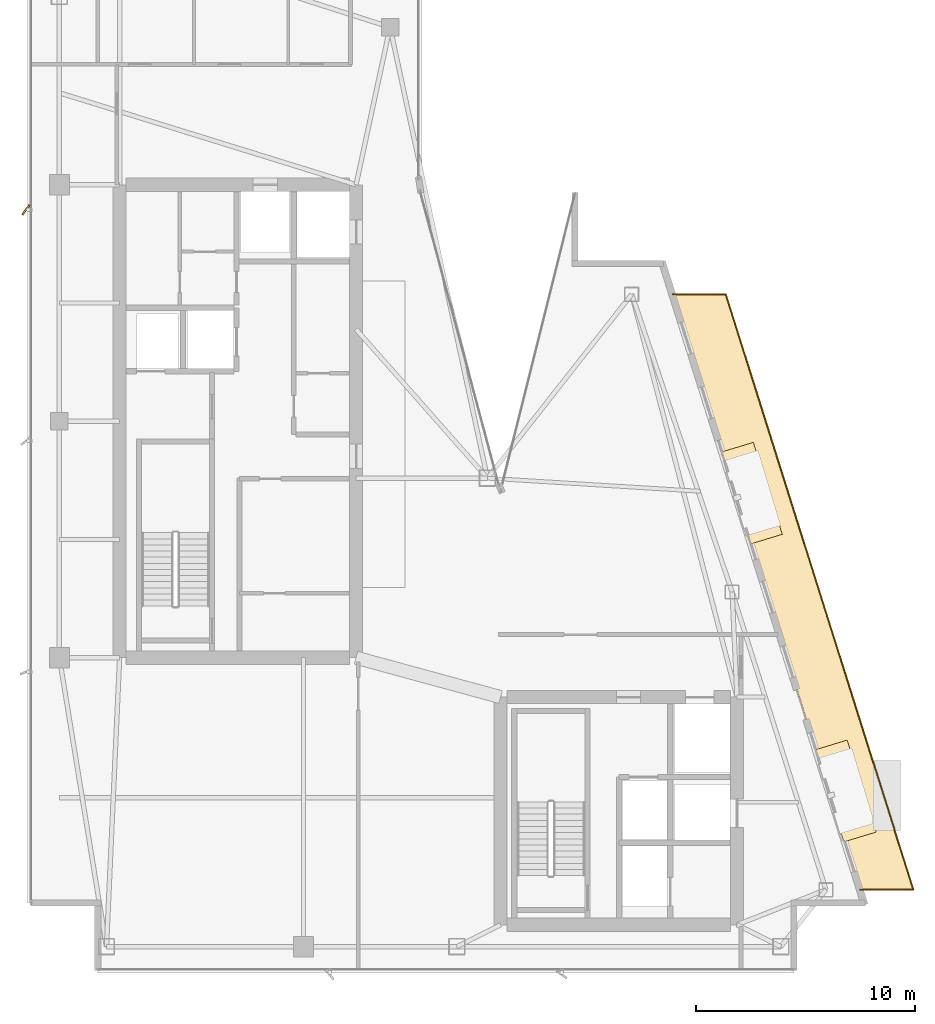
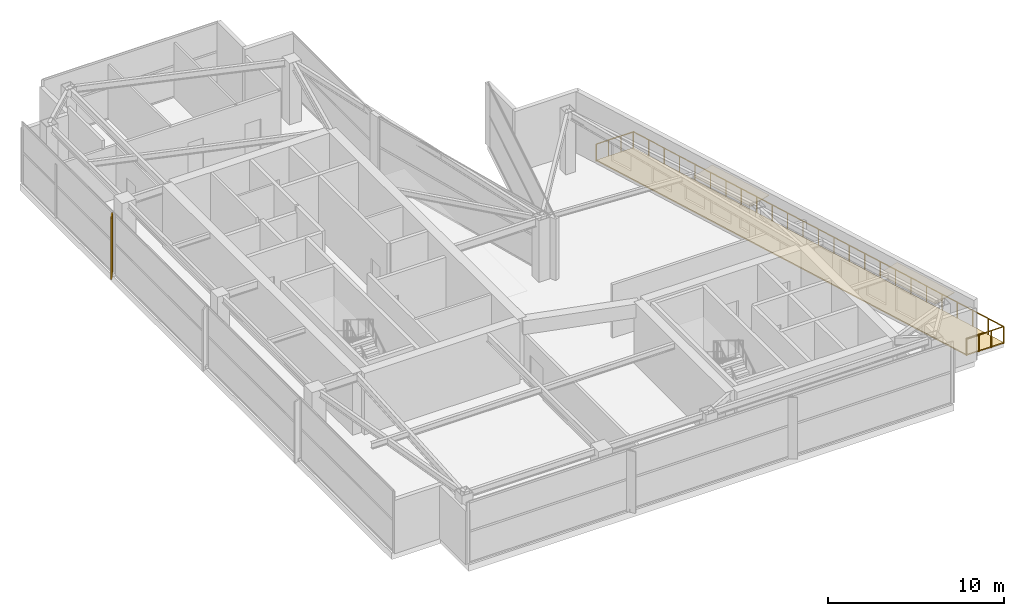
# One storey, part 25 of 25: 3 coverings, 1 railing, 1 shading device.
"""IFC4 building model written with IfcOpenShell, lengths in metres."""

from ifc_helpers import new_model, si_unit, direction, frame, origin, origin_2d, place, context, subcontext, project, spatial, polyline, rectangle, circle, outline, extrude, material, layer, layer_set, type_object, element, save


model = new_model("IFC4")

# Units and contexts
model_context = context("Model", 3, precision=1e-05, world=origin(), true_north=direction((0.0, 1.0)))
body_context = subcontext(model_context, "Body", "Model", "MODEL_VIEW")
ifc_project = project(units=[si_unit("LENGTHUNIT", "METRE"), si_unit("AREAUNIT", "SQUARE_METRE"), si_unit("VOLUMEUNIT", "CUBIC_METRE"), si_unit("PLANEANGLEUNIT", "RADIAN"), si_unit("MASSUNIT", "GRAM", prefix="KILO")], contexts=[model_context])

# Site, building, storey
site_placement = place(None, origin())
site = spatial("IfcSite", under=ifc_project, at=site_placement, CompositionType="ELEMENT")
building_placement = place(site_placement, origin())
building = spatial("IfcBuilding", under=site, at=building_placement, Name="Calvorn Quay Hotel", CompositionType="ELEMENT")
storey_placement = place(building_placement, frame((0.0, 0.0, 307.0)))
storey = spatial("IfcBuildingStorey", under=building, at=storey_placement, Name="L76", CompositionType="ELEMENT", Elevation=307.0)

# Coverings
ifc_material_1 = material(Name="Pale Anodised Aluminium Rainscreen Cladding", Category="aluminium")
ifc_layer_1 = layer(ifc_material_1, 0.044921875)
ifc_layer_set_1 = layer_set([ifc_layer_1], Name="COV-CROWN-CLAD")
covering_type_1 = type_object("IfcCoveringType", Name="COV-CROWN-CLAD", PredefinedType="CLADDING", material=ifc_layer_set_1)
covering_1_placement = place(storey_placement, frame((0.0, 0.0, 2.5048828125)))
element("IfcCovering", 1, at=covering_1_placement, inside=storey, type_object=covering_type_1, Name="Angled Bay Hood Canopy L76-HOOD-1", PredefinedType="CLADDING", context=body_context, shape_type="SweptSolid", body=[
    extrude(outline(polyline([(35.95703125, 12.587890625), (37.429931640625, 13.034912109375), (38.7529296875, 8.8349609375), (37.280029296875, 8.387939453125), (35.95703125, 12.587890625)])), origin(), (0.0, 0.0, 1.0), 0.045166015625),
])
covering_2_placement = place(storey_placement, frame((0.0, 0.0, 2.5048828125)))
element("IfcCovering", 2, at=covering_2_placement, inside=storey, type_object=covering_type_1, Name="Angled Bay Hood Canopy L76-HOOD-3", PredefinedType="CLADDING", context=body_context, shape_type="SweptSolid", body=[
    extrude(outline(polyline([(31.672119140625, 26.18798828125), (33.14501953125, 26.635009765625), (34.468017578125, 22.43505859375), (32.9951171875, 21.988037109375), (31.672119140625, 26.18798828125)])), origin(), (0.0, 0.0, 1.0), 0.045166015625),
])
ifc_material_2 = material(Name="Insulated Elastomeric Waterproof Roofing")
ifc_layer_2 = layer(ifc_material_2, 0.080078125)
ifc_layer_set_2 = layer_set([ifc_layer_2], Name="COV-ROOF-MEMBRANE")
covering_type_2 = type_object("IfcCoveringType", Name="COV-ROOF-MEMBRANE", PredefinedType="ROOFING", material=ifc_layer_set_2)
covering_3_placement = place(storey_placement, origin())
element("IfcCovering", 3, at=covering_3_placement, inside=storey, type_object=covering_type_2, Name="Setback Terrace Waterproofing (L76)", PredefinedType="ROOFING", context=body_context, shape_type="SweptSolid", body=[
    extrude(outline(polyline([(38.031005859375, 6.199951171875), (40.4609375, 6.199951171875), (31.89111328125, 33.39990234375), (29.4609375, 33.39990234375), (38.031005859375, 6.199951171875)])), origin(), (0.0, 0.0, 1.0), 0.080078125),
])

# Railing
ifc_material_3 = material(Name="Pale Anodised Aluminium and Laminated Glass", Category="aluminium")
railing_type = type_object("IfcRailingType", Name="RLG-BALUSTRADE-1200", PredefinedType="BALUSTRADE", material=ifc_material_3)
railing_placement = place(storey_placement, frame((38.031005859375, 6.199951171875, 0.0)))
element("IfcRailing", 4, at=railing_placement, inside=storey, type_object=railing_type, Name="Sawtooth Setback Terrace Balustrade (L76)", PredefinedType="BALUSTRADE", context=body_context, shape_type="SweptSolid", body=[
    extrude(circle(Radius=0.02392578125, at=origin_2d()), frame((0.0, 0.0, 1.17578125), z_axis=(1.0, 0.0, 0.0), x_axis=(0.0, 1.0, 0.0)), (0.0, 0.0, 1.0), 2.429931640625),
    extrude(circle(Radius=0.02392578125, at=origin_2d()), frame((2.429931640625, 0.0, 1.17578125), z_axis=(-0.300505256443, 0.953780158553, 0.0), x_axis=(-0.953780158553, -0.300505256443, 0.0)), (0.0, 0.0, 1.0), 28.51806640625),
    extrude(circle(Radius=0.02392578125, at=origin_2d()), frame((-6.139892578125, 27.199951171875, 1.17578125), z_axis=(-1.0, 0.0, 0.0), x_axis=(0.0, -1.0, 0.0)), (0.0, 0.0, 1.0), 2.43017578125),
    extrude(circle(Radius=0.02099609375, at=origin_2d()), origin(), (0.0, 0.0, 1.0), 1.15185546875),
    extrude(circle(Radius=0.02099609375, at=origin_2d()), frame((0.81005859375, 0.0, 0.0)), (0.0, 0.0, 1.0), 1.15185546875),
    extrude(circle(Radius=0.02099609375, at=origin_2d()), frame((1.619873046875, 0.0, 0.0)), (0.0, 0.0, 1.0), 1.15185546875),
    extrude(circle(Radius=0.02099609375, at=origin_2d()), frame((2.429931640625, 0.0, 0.0)), (0.0, 0.0, 1.0), 1.15185546875),
    extrude(circle(Radius=0.02099609375, at=origin_2d()), frame((2.07275390625, 1.13330078125, 0.0)), (0.0, 0.0, 1.0), 1.15185546875),
    extrude(circle(Radius=0.02099609375, at=origin_2d()), frame((1.7158203125, 2.2666015625, 0.0)), (0.0, 0.0, 1.0), 1.15185546875),
    extrude(circle(Radius=0.02099609375, at=origin_2d()), frame((1.358642578125, 3.39990234375, 0.0)), (0.0, 0.0, 1.0), 1.15185546875),
    extrude(circle(Radius=0.02099609375, at=origin_2d()), frame((1.001708984375, 4.533203125, 0.0)), (0.0, 0.0, 1.0), 1.15185546875),
    extrude(circle(Radius=0.02099609375, at=origin_2d()), frame((0.64453125, 5.666748046875, 0.0)), (0.0, 0.0, 1.0), 1.15185546875),
    extrude(circle(Radius=0.02099609375, at=origin_2d()), frame((0.28759765625, 6.800048828125, 0.0)), (0.0, 0.0, 1.0), 1.15185546875),
    extrude(circle(Radius=0.02099609375, at=origin_2d()), frame((-0.069580078125, 7.933349609375, 0.0)), (0.0, 0.0, 1.0), 1.15185546875),
    extrude(circle(Radius=0.02099609375, at=origin_2d()), frame((-0.4267578125, 9.066650390625, 0.0)), (0.0, 0.0, 1.0), 1.15185546875),
    extrude(circle(Radius=0.02099609375, at=origin_2d()), frame((-0.78369140625, 10.199951171875, 0.0)), (0.0, 0.0, 1.0), 1.15185546875),
    extrude(circle(Radius=0.02099609375, at=origin_2d()), frame((-1.140869140625, 11.333251953125, 0.0)), (0.0, 0.0, 1.0), 1.15185546875),
    extrude(circle(Radius=0.02099609375, at=origin_2d()), frame((-1.497802734375, 12.466552734375, 0.0)), (0.0, 0.0, 1.0), 1.15185546875),
    extrude(circle(Radius=0.02099609375, at=origin_2d()), frame((-1.85498046875, 13.60009765625, 0.0)), (0.0, 0.0, 1.0), 1.15185546875),
    extrude(circle(Radius=0.02099609375, at=origin_2d()), frame((-2.212158203125, 14.7333984375, 0.0)), (0.0, 0.0, 1.0), 1.15185546875),
    extrude(circle(Radius=0.02099609375, at=origin_2d()), frame((-2.569091796875, 15.86669921875, 0.0)), (0.0, 0.0, 1.0), 1.15185546875),
    extrude(circle(Radius=0.02099609375, at=origin_2d()), frame((-2.92626953125, 17.0, 0.0)), (0.0, 0.0, 1.0), 1.15185546875),
    extrude(circle(Radius=0.02099609375, at=origin_2d()), frame((-3.283203125, 18.13330078125, 0.0)), (0.0, 0.0, 1.0), 1.15185546875),
    extrude(circle(Radius=0.02099609375, at=origin_2d()), frame((-3.640380859375, 19.2666015625, 0.0)), (0.0, 0.0, 1.0), 1.15185546875),
    extrude(circle(Radius=0.02099609375, at=origin_2d()), frame((-3.99755859375, 20.39990234375, 0.0)), (0.0, 0.0, 1.0), 1.15185546875),
    extrude(circle(Radius=0.02099609375, at=origin_2d()), frame((-4.3544921875, 21.533203125, 0.0)), (0.0, 0.0, 1.0), 1.15185546875),
    extrude(circle(Radius=0.02099609375, at=origin_2d()), frame((-4.711669921875, 22.66650390625, 0.0)), (0.0, 0.0, 1.0), 1.15185546875),
    extrude(circle(Radius=0.02099609375, at=origin_2d()), frame((-5.068603515625, 23.800048828125, 0.0)), (0.0, 0.0, 1.0), 1.15185546875),
    extrude(circle(Radius=0.02099609375, at=origin_2d()), frame((-5.42578125, 24.933349609375, 0.0)), (0.0, 0.0, 1.0), 1.15185546875),
    extrude(circle(Radius=0.02099609375, at=origin_2d()), frame((-5.78271484375, 26.066650390625, 0.0)), (0.0, 0.0, 1.0), 1.15185546875),
    extrude(circle(Radius=0.02099609375, at=origin_2d()), frame((-6.139892578125, 27.199951171875, 0.0)), (0.0, 0.0, 1.0), 1.15185546875),
    extrude(circle(Radius=0.02099609375, at=origin_2d()), frame((-6.949951171875, 27.199951171875, 0.0)), (0.0, 0.0, 1.0), 1.15185546875),
    extrude(circle(Radius=0.02099609375, at=origin_2d()), frame((-7.760009765625, 27.199951171875, 0.0)), (0.0, 0.0, 1.0), 1.15185546875),
    extrude(circle(Radius=0.02099609375, at=origin_2d()), frame((-8.570068359375, 27.199951171875, 0.0)), (0.0, 0.0, 1.0), 1.15185546875),
])

# Shading device
ifc_material_4 = material(Name="Champagne Bronze Anodised Aluminium 6063-T6", Category="aluminium")
shading_device_type = type_object("IfcShadingDeviceType", Name="SHD-FIN-A3", PredefinedType="USERDEFINED", material=ifc_material_4)
shading_device_placement = place(storey_placement, frame((-0.080078125, 37.25, 0.0), z_axis=(0.0, 0.0, 1.0), x_axis=(0.587785252292, 0.809016994375, 0.0)))
element("IfcShadingDevice", 5, at=shading_device_placement, inside=storey, type_object=shading_device_type, Name="Diagonal Sun-Shading Fin L76-W03", ObjectType="FIN", PredefinedType="USERDEFINED", context=body_context, shape_type="SweptSolid", body=[
    extrude(rectangle(XDim=0.550048828125, YDim=0.080078125, at=origin_2d()), origin(), (0.0, 0.0, 1.0), 4.260009765625),
])

save(model, "model.ifc")
